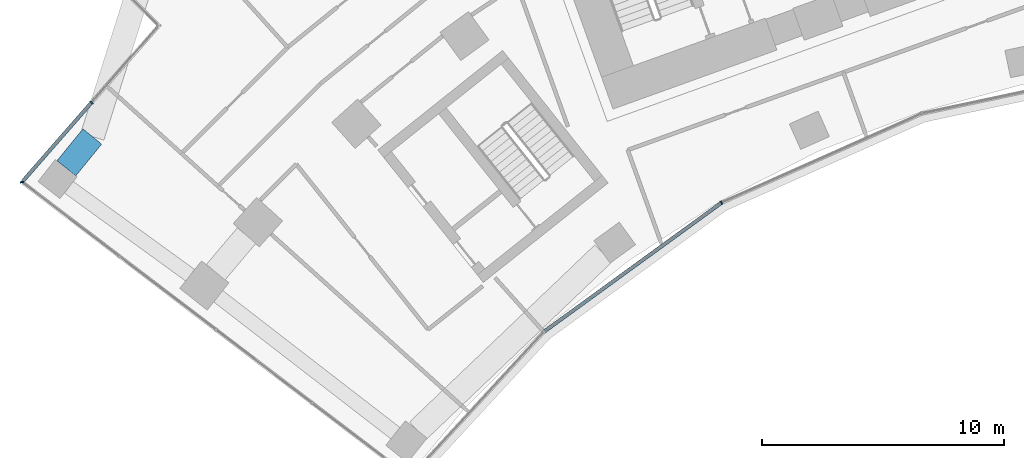
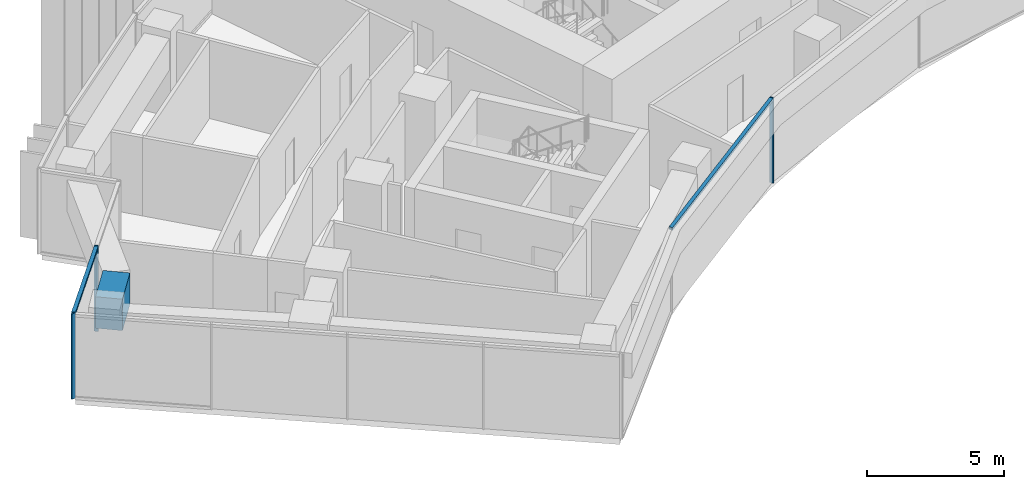
# One storey, part 3 of 23: 5 members, 1 beam, 3 elements without a shape of their own.
"""IFC4 building model written with IfcOpenShell, lengths in metres."""

from ifc_helpers import new_model, si_unit, direction, frame, origin, origin_2d, place, context, subcontext, project, spatial, rectangle, extrude, material, layer, layer_set, material_profile, profile_set, type_object, element, aggregate, save


model = new_model("IFC4")

# Units and contexts
model_context = context("Model", 3, precision=1e-05, world=origin(), true_north=direction((0.0, 1.0)))
body_context = subcontext(model_context, "Body", "Model", "MODEL_VIEW")
ifc_project = project(units=[si_unit("LENGTHUNIT", "METRE"), si_unit("AREAUNIT", "SQUARE_METRE"), si_unit("VOLUMEUNIT", "CUBIC_METRE"), si_unit("PLANEANGLEUNIT", "RADIAN"), si_unit("MASSUNIT", "GRAM", prefix="KILO")], contexts=[model_context])

# Site, building, storey
site_placement = place(None, origin())
site = spatial("IfcSite", under=ifc_project, at=site_placement, CompositionType="ELEMENT")
building_placement = place(site_placement, origin())
building = spatial("IfcBuilding", under=site, at=building_placement, Name="Stone Belt Terrace Tower", CompositionType="ELEMENT")
storey_placement = place(building_placement, frame((0.0, 0.0, 98.39990234375)))
storey = spatial("IfcBuildingStorey", under=building, at=storey_placement, Name="L23", CompositionType="ELEMENT", Elevation=98.39990234375)

# Curtain wall, members
ifc_material_1 = material(Name="Aluminium 6063-T6 anodised frame", Category="aluminium")
ifc_layer_1 = layer(ifc_material_1, 0.14990234375)
ifc_layer_set_1 = layer_set([ifc_layer_1], Name="CW-B unitised concave-face curtain wall")
curtain_wall_type_1 = type_object("IfcCurtainWallType", Name="CW-B unitised concave-face curtain wall", PredefinedType="NOTDEFINED", material=ifc_layer_set_1)
curtain_wall_1_placement = place(storey_placement, origin())
curtain_wall_1 = element("IfcCurtainWall", 1, at=curtain_wall_1_placement, inside=storey, type_object=curtain_wall_type_1, Name="CW-B concave face L23", PredefinedType="NOTDEFINED")
ifc_material_profile_1 = material_profile(ifc_material_1, rectangle(XDim=0.14990234375, YDim=0.050048828125, at=origin_2d()), Name="Aluminium 6063-T6 50x150")
ifc_profile_set_1 = profile_set([ifc_material_profile_1], Name="Aluminium 6063-T6 anodised frame")
member_type_1 = type_object("IfcMemberType", Name="CW-B mullion 50 x 150", PredefinedType="MULLION", material=ifc_profile_set_1)
member_1_placement = place(storey_placement, frame((-21.71240234375, 37.606689453125, 0.0), z_axis=(0.0, 0.0, 1.0), x_axis=(-0.5, 0.866025403784, 0.0)))
member_1 = element("IfcMember", 2, at=member_1_placement, type_object=member_type_1, Name="CW-B mullion 3", PredefinedType="MULLION", context=body_context, shape_type="SweptSolid", body=[
    extrude(rectangle(XDim=0.14990234375, YDim=0.050048828125, at=origin_2d()), origin(), (0.0, 0.0, 1.0), 3.800048828125),
])
ifc_material_profile_2 = material_profile(ifc_material_1, rectangle(XDim=0.14990234375, YDim=0.1201171875, at=origin_2d()), Name="Aluminium 6063-T6 150x120")
ifc_profile_set_2 = profile_set([ifc_material_profile_2], Name="Aluminium 6063-T6 anodised frame")
member_type_2 = type_object("IfcMemberType", Name="CW-B transom 120 x 150", PredefinedType="USERDEFINED", material=ifc_profile_set_2)
member_2_placement = place(storey_placement, frame((-29.031005859375, 32.28955078125, 3.739990234375), z_axis=(0.809018266512, 0.587783501342, 0.0), x_axis=(-0.587783501342, 0.809018266512, 0.0)))
member_2 = element("IfcMember", 3, at=member_2_placement, type_object=member_type_2, Name="CW-B transom 2.1", ObjectType="TRANSOM", PredefinedType="USERDEFINED", context=body_context, shape_type="SweptSolid", body=[
    extrude(rectangle(XDim=0.14990234375, YDim=0.1201171875, at=origin_2d()), origin(), (0.0, 0.0, 1.0), 9.013671875),
])
aggregate(curtain_wall_1, [member_1, member_2])

# Curtain wall, member
ifc_layer_2 = layer(ifc_material_1, 0.14990234375)
ifc_layer_set_2 = layer_set([ifc_layer_2], Name="CW-C stick curtain wall, horn ends and notches")
curtain_wall_type_2 = type_object("IfcCurtainWallType", Name="CW-C stick curtain wall, horn ends and notches", PredefinedType="NOTDEFINED", material=ifc_layer_set_2)
curtain_wall_2_placement = place(storey_placement, origin())
curtain_wall_2 = element("IfcCurtainWall", 4, at=curtain_wall_2_placement, inside=storey, type_object=curtain_wall_type_2, Name="CW-C notch face L23", PredefinedType="NOTDEFINED")
ifc_material_profile_3 = material_profile(ifc_material_1, rectangle(XDim=0.14990234375, YDim=0.06005859375, at=origin_2d()), Name="Aluminium 6063-T6 60x150")
ifc_profile_set_3 = profile_set([ifc_material_profile_3], Name="Aluminium 6063-T6 anodised frame")
member_type_3 = type_object("IfcMemberType", Name="CW-C mullion 60 x 150", PredefinedType="MULLION", material=ifc_profile_set_3)
member_3_placement = place(storey_placement, frame((-47.7509765625, 41.751220703125, 0.0), z_axis=(0.0, 0.0, 1.0), x_axis=(0.752816669569, -0.658230250003, 0.0)))
member_3 = element("IfcMember", 5, at=member_3_placement, type_object=member_type_3, Name="CW-C mullion 2", PredefinedType="MULLION", context=body_context, shape_type="SweptSolid", body=[
    extrude(rectangle(XDim=0.14990234375, YDim=0.06005859375, at=origin_2d()), origin(), (0.0, 0.0, 1.0), 3.800048828125),
])

curtain_wall_3_placement = place(storey_placement, origin())
curtain_wall_3 = element("IfcCurtainWall", 6, at=curtain_wall_3_placement, inside=storey, type_object=curtain_wall_type_2, Name="CW-C end face L23", PredefinedType="NOTDEFINED")
member_4_placement = place(storey_placement, frame((-50.6298828125, 38.45849609375, 0.0), z_axis=(0.0, 0.0, 1.0), x_axis=(0.994927275217, 0.10059680427, 0.0)))
member_4 = element("IfcMember", 7, at=member_4_placement, type_object=member_type_3, Name="CW-C mullion 1", PredefinedType="MULLION", context=body_context, shape_type="SweptSolid", body=[
    extrude(rectangle(XDim=0.14990234375, YDim=0.06005859375, at=origin_2d()), origin(), (0.0, 0.0, 1.0), 3.800048828125),
])
aggregate(curtain_wall_3, [member_4])

# Member
ifc_material_profile_4 = material_profile(ifc_material_1, rectangle(XDim=0.14990234375, YDim=0.1201171875, at=origin_2d()), Name="Aluminium 6063-T6 150x120")
ifc_profile_set_4 = profile_set([ifc_material_profile_4], Name="Aluminium 6063-T6 anodised frame")
member_type_4 = type_object("IfcMemberType", Name="CW-C transom 120 x 150", PredefinedType="USERDEFINED", material=ifc_profile_set_4)
member_5_placement = place(storey_placement, frame((-47.770751953125, 41.728759765625, 3.739990234375), z_axis=(-0.658192766139, -0.752849442187, 0.0), x_axis=(0.752849442187, -0.658192766139, 0.0)))
member_5 = element("IfcMember", 8, at=member_5_placement, type_object=member_type_4, Name="CW-C transom 2.1", ObjectType="TRANSOM", PredefinedType="USERDEFINED", context=body_context, shape_type="SweptSolid", body=[
    extrude(rectangle(XDim=0.14990234375, YDim=0.1201171875, at=origin_2d()), origin(), (0.0, 0.0, 1.0), 4.2685546875),
])

aggregate(curtain_wall_2, [member_3, member_5])

# Beam
ifc_material_2 = material(Name="Concrete B80", Category="concrete")
ifc_material_profile_5 = material_profile(ifc_material_2, rectangle(XDim=1.0, YDim=1.39990234375, at=origin_2d()), Name="RC 1000x1400")
ifc_profile_set_5 = profile_set([ifc_material_profile_5], Name="Concrete B80")
beam_type = type_object("IfcBeamType", Name="Transfer beam RC 1000x1400 B80", PredefinedType="BEAM", material=ifc_profile_set_5)
beam_placement = place(storey_placement, frame((-48.790283203125, 39.03076171875, 2.780029296875), z_axis=(0.631740199567, 0.775180185667, 0.0), x_axis=(-0.775180185667, 0.631740199567, 0.0)))
element("IfcBeam", 9, at=beam_placement, inside=storey, type_object=beam_type, Name="Transfer beam L23 RRA-RA", PredefinedType="BEAM", context=body_context, shape_type="SweptSolid", body=[
    extrude(rectangle(XDim=1.0, YDim=1.39990234375, at=origin_2d()), origin(), (0.0, 0.0, 1.0), 1.697021484375),
])

save(model, "model.ifc")
